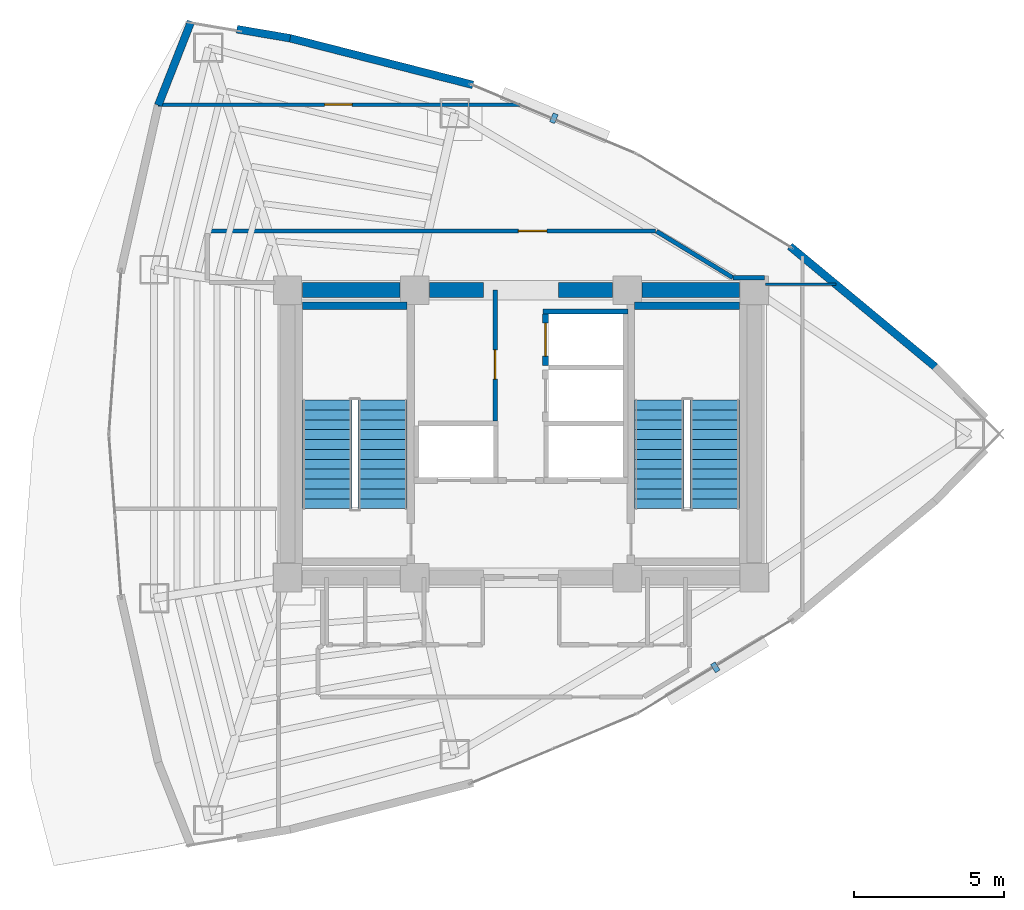
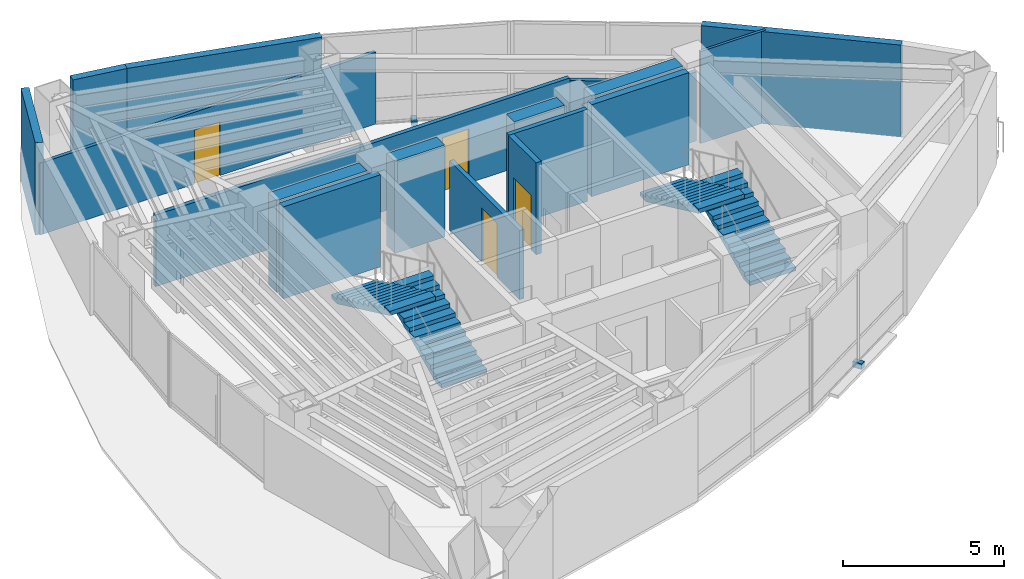
# One storey, part 13 of 15: 18 walls, 4 doors, 4 stair flights, 2 discrete accessories, 4 openings, 2 elements without a shape of their own.
"""IFC4 building model written with IfcOpenShell, lengths in metres."""

from ifc_helpers import new_model, si_unit, direction, frame, frame_2d, origin, origin_2d, place, context, subcontext, project, spatial, polyline, rectangle, outline, extrude, material, layer, layer_set, type_object, element, fill, aggregate, save


model = new_model("IFC4")

# Units and contexts
model_context = context("Model", 3, precision=1e-05, world=origin(), true_north=direction((0.0, 1.0)))
body_context = subcontext(model_context, "Body", "Model", "MODEL_VIEW")
ifc_project = project(units=[si_unit("LENGTHUNIT", "METRE"), si_unit("AREAUNIT", "SQUARE_METRE"), si_unit("VOLUMEUNIT", "CUBIC_METRE"), si_unit("PLANEANGLEUNIT", "RADIAN"), si_unit("MASSUNIT", "GRAM", prefix="KILO")], contexts=[model_context])

# Site, building, storey
site_placement = place(None, origin())
site = spatial("IfcSite", under=ifc_project, at=site_placement, CompositionType="ELEMENT")
building_placement = place(site_placement, origin())
building = spatial("IfcBuilding", under=site, at=building_placement, Name="Menara Vayukalpa", CompositionType="ELEMENT")
storey_placement = place(building_placement, frame((0.0, 0.0, 184.080078125)))
storey = spatial("IfcBuildingStorey", under=building, at=storey_placement, Name="L46", CompositionType="ELEMENT", Elevation=184.080078125)

# Walls
ifc_material_1 = material(Name="Concrete C60/75", Category="concrete")
ifc_layer_1 = layer(ifc_material_1, 0.5)
ifc_layer_set_1 = layer_set([ifc_layer_1], Name="Concrete C60/75")
wall_type_1 = type_object("IfcWallType", Name="WAL-CW500", PredefinedType="SHEAR", material=ifc_layer_set_1)
wall_1_placement = place(storey_placement, frame((18.294921875, 26.800048828125, 0.0), z_axis=(0.0, 0.0, 1.0), x_axis=(1.0, 0.0, 0.0)))
element("IfcWall", 1, at=wall_1_placement, inside=storey, type_object=wall_type_1, Name="L46 Buttressed Core Shear Wall CWN1", PredefinedType="SHEAR", context=body_context, shape_type="SweptSolid", body=[
    extrude(rectangle(XDim=3.260009765625, YDim=0.5, at=frame_2d((1.6298828125, 0.0))), origin(), (0.0, 0.0, 1.0), 3.5),
])
wall_2_placement = place(storey_placement, frame((22.544921875, 26.800048828125, 0.0), z_axis=(0.0, 0.0, 1.0), x_axis=(1.0, 0.0, 0.0)))
element("IfcWall", 2, at=wall_2_placement, inside=storey, type_object=wall_type_1, Name="L46 Buttressed Core Shear Wall CWN2", PredefinedType="SHEAR", context=body_context, shape_type="SweptSolid", body=[
    extrude(rectangle(XDim=1.80517578125, YDim=0.5, at=frame_2d((0.902587890625, 0.0))), origin(), (0.0, 0.0, 1.0), 3.5),
])
wall_3_placement = place(storey_placement, frame((26.85009765625, 26.800048828125, 0.0), z_axis=(0.0, 0.0, 1.0), x_axis=(1.0, 0.0, 0.0)))
element("IfcWall", 3, at=wall_3_placement, inside=storey, type_object=wall_type_1, Name="L46 Buttressed Core Shear Wall CWN3", PredefinedType="SHEAR", context=body_context, shape_type="SweptSolid", body=[
    extrude(rectangle(XDim=1.804931640625, YDim=0.5, at=frame_2d((0.90234375, 0.0))), origin(), (0.0, 0.0, 1.0), 3.5),
])
wall_4_placement = place(storey_placement, frame((29.64501953125, 26.800048828125, 0.0), z_axis=(0.0, 0.0, 1.0), x_axis=(1.0, 0.0, 0.0)))
element("IfcWall", 4, at=wall_4_placement, inside=storey, type_object=wall_type_1, Name="L46 Buttressed Core Shear Wall CWN4", PredefinedType="SHEAR", context=body_context, shape_type="SweptSolid", body=[
    extrude(rectangle(XDim=3.260009765625, YDim=0.5, at=frame_2d((1.6298828125, 0.0))), origin(), (0.0, 0.0, 1.0), 3.5),
])
ifc_material_2 = material(Name="Insulated Precast Concrete C40/50", Category="concrete")
ifc_layer_2 = layer(ifc_material_2, 0.260009765625)
ifc_layer_set_2 = layer_set([ifc_layer_2], Name="Insulated Precast Concrete C40/50")
wall_type_2 = type_object("IfcWallType", Name="WAL-EXT260", PredefinedType="PARTITIONING", material=ifc_layer_set_2)
wall_5_placement = place(storey_placement, frame((34.58251953125, 28.26953125, 0.0), z_axis=(0.0, 0.0, 1.0), x_axis=(0.769765373155, -0.638326930571, 0.0)))
element("IfcWall", 5, at=wall_5_placement, inside=storey, type_object=wall_type_2, Name="L46 Perimeter Terracotta Pier Wall 03", PredefinedType="PARTITIONING", context=body_context, shape_type="SweptSolid", body=[
    extrude(rectangle(XDim=6.3154296875, YDim=0.260009765625, at=frame_2d((3.15771484375, 0.0))), origin(), (0.0, 0.0, 1.0), 3.5),
])
wall_6_placement = place(storey_placement, frame((17.8759765625, 35.22216796875, 0.0), z_axis=(0.0, 0.0, 1.0), x_axis=(0.968976240439, -0.247153890246, 0.0)))
element("IfcWall", 6, at=wall_6_placement, inside=storey, type_object=wall_type_2, Name="L46 Perimeter Terracotta Pier Wall 06", PredefinedType="PARTITIONING", context=body_context, shape_type="SweptSolid", body=[
    extrude(rectangle(XDim=6.31494140625, YDim=0.260009765625, at=frame_2d((3.157470703125, 0.0))), origin(), (0.0, 0.0, 1.0), 3.5),
])
wall_7_placement = place(storey_placement, frame((16.10693359375, 35.52197265625, 0.0), z_axis=(0.0, 0.0, 1.0), x_axis=(0.985877723898, -0.167466753484, 0.0)))
element("IfcWall", 7, at=wall_7_placement, inside=storey, type_object=wall_type_2, Name="L46 Perimeter Terracotta Pier Wall 07", PredefinedType="PARTITIONING", context=body_context, shape_type="SweptSolid", body=[
    extrude(rectangle(XDim=1.80615234375, YDim=0.260009765625, at=frame_2d((0.903076171875, 0.0))), origin(), (0.0, 0.0, 1.0), 3.5),
])
wall_8_placement = place(storey_placement, frame((13.47900390625, 32.978515625, 0.0), z_axis=(0.0, 0.0, 1.0), x_axis=(0.365609724313, 0.930768246927, 0.0)))
element("IfcWall", 8, at=wall_8_placement, inside=storey, type_object=wall_type_2, Name="L46 Perimeter Terracotta Pier Wall 08", PredefinedType="PARTITIONING", context=body_context, shape_type="SweptSolid", body=[
    extrude(rectangle(XDim=3.010986328125, YDim=0.260009765625, at=frame_2d((1.50537109375, 0.0))), origin(), (0.0, 0.0, 1.0), 3.5),
])
ifc_material_3 = material(Name="Lightweight Concrete Blockwork C16/20", Category="masonry")
ifc_layer_3 = layer(ifc_material_3, 0.159912109375)
ifc_layer_set_3 = layer_set([ifc_layer_3], Name="Lightweight Concrete Blockwork C16/20")
wall_type_3 = type_object("IfcWallType", Name="WAL-FR150", PredefinedType="PARTITIONING", material=ifc_layer_set_3)
wall_9_placement = place(storey_placement, frame((26.340087890625, 26.0849609375, 0.0), z_axis=(0.0, 0.0, 1.0), x_axis=(1.0, 0.0, 0.0)))
element("IfcWall", 9, at=wall_9_placement, inside=storey, type_object=wall_type_3, Name="L46 Interior Partition IW-L46-SHM-E2N", PredefinedType="PARTITIONING", context=body_context, shape_type="SweptSolid", body=[
    extrude(rectangle(XDim=2.829833984375, YDim=0.159912109375, at=frame_2d((1.4150390625, 0.0))), origin(), (0.0, 0.0, 1.0), 3.5),
])

# Wall, opening, door
wall_10_placement = place(storey_placement, frame((24.739990234375, 22.429931640625, 0.0), z_axis=(0.0, 0.0, 1.0), x_axis=(0.0, 1.0, 0.0)))
wall_10 = element("IfcWall", 10, at=wall_10_placement, inside=storey, type_object=wall_type_3, Name="L46 Interior Partition IW-L46-LV7W", PredefinedType="PARTITIONING", context=body_context, shape_type="SweptSolid", body=[
    extrude(rectangle(XDim=4.3701171875, YDim=0.159912109375, at=frame_2d((2.18505859375, 0.0))), origin(), (0.0, 0.0, 1.0), 2.6298828125),
])
opening_1_placement = place(wall_10_placement, frame((1.39990234375, 0.0, 0.0)))
opening_1 = element("IfcOpeningElement", 11, at=opening_1_placement, cuts=wall_10, Name="Opening ID3", PredefinedType="OPENING", context=body_context, shape_type="SweptSolid", body=[
    extrude(rectangle(XDim=0.97998046875, YDim=2.06005859375, at=frame_2d((0.489990234375, 1.030029296875))), frame((0.0, 0.08984375, 0.0), z_axis=(0.0, -1.0, 0.0), x_axis=(1.0, 0.0, 0.0)), (0.0, 0.0, 1.0), 0.179931640625),
])
ifc_material_4 = material(Name="Fire-Rated Powder-Coated Steel Door", Category="steel")
door_type_1 = type_object("IfcDoorType", Name="DR-FD60", OperationType="NOTDEFINED", PredefinedType="DOOR", material=ifc_material_4)
door_1_placement = place(opening_1_placement, origin())
door_1 = element("IfcDoor", 12, at=door_1_placement, inside=storey, type_object=door_type_1, Name="L46 Interior Door DR-L46-LV7W", OperationType="SINGLE_SWING_RIGHT", OverallHeight=2.06005859375, OverallWidth=0.97998046875, PredefinedType="DOOR", context=body_context, shape_type="SweptSolid", body=[
    extrude(rectangle(XDim=0.97998046875, YDim=2.06005859375, at=frame_2d((0.489990234375, 1.030029296875))), frame((0.0, 0.02490234375, 0.0), z_axis=(0.0, -1.0, 0.0), x_axis=(1.0, 0.0, 0.0)), (0.0, 0.0, 1.0), 0.050048828125),
])
fill(opening_1, door_1)

ifc_material_5 = material(Name="Lightweight Concrete Blockwork C16/20", Category="masonry")
ifc_layer_4 = layer(ifc_material_5, 0.199951171875)
ifc_layer_set_4 = layer_set([ifc_layer_4], Name="Lightweight Concrete Blockwork C16/20")
wall_type_4 = type_object("IfcWallType", Name="WAL-FR200", PredefinedType="PARTITIONING", material=ifc_layer_set_4)
wall_11_placement = place(storey_placement, frame((26.419921875, 24.2900390625, 0.0), z_axis=(0.0, 0.0, 1.0), x_axis=(0.0, 1.0, 0.0)))
wall_11 = element("IfcWall", 13, at=wall_11_placement, inside=storey, type_object=wall_type_4, Name="L46 Interior Partition IW-L46-SH-E2", PredefinedType="PARTITIONING", context=body_context, shape_type="SweptSolid", body=[
    extrude(rectangle(XDim=1.719970703125, YDim=0.199951171875, at=frame_2d((0.85986328125, 0.0))), origin(), (0.0, 0.0, 1.0), 3.5),
])
opening_2_placement = place(wall_11_placement, frame((0.31005859375, 0.0, 0.0)))
opening_2 = element("IfcOpeningElement", 14, at=opening_2_placement, cuts=wall_11, Name="Opening LD1", PredefinedType="OPENING", context=body_context, shape_type="SweptSolid", body=[
    extrude(rectangle(XDim=1.10009765625, YDim=2.080078125, at=frame_2d((0.550048828125, 1.0400390625))), frame((0.0, 0.10986328125, 0.0), z_axis=(0.0, -1.0, 0.0), x_axis=(1.0, 0.0, 0.0)), (0.0, 0.0, 1.0), 0.219970703125),
])
ifc_material_6 = material(Name="Brushed Stainless Steel 316 Lift Door", Category="steel")
door_type_2 = type_object("IfcDoorType", Name="DR-LD110", OperationType="NOTDEFINED", PredefinedType="DOOR", material=ifc_material_6)
door_2_placement = place(opening_2_placement, origin())
door_2 = element("IfcDoor", 15, at=door_2_placement, inside=storey, type_object=door_type_2, Name="L46 Interior Door DR-L46-LD-E2", OperationType="DOUBLE_DOOR_SLIDING", OverallHeight=2.080078125, OverallWidth=1.10009765625, PredefinedType="DOOR", context=body_context, shape_type="SweptSolid", body=[
    extrude(rectangle(XDim=1.10009765625, YDim=2.080078125, at=frame_2d((0.550048828125, 1.0400390625))), frame((0.0, 0.02490234375, 0.0), z_axis=(0.0, -1.0, 0.0), x_axis=(1.0, 0.0, 0.0)), (0.0, 0.0, 1.0), 0.050048828125),
])
fill(opening_2, door_2)

# Wall
ifc_material_7 = material(Name="Glazed Demountable Office Partition", Category="glass")
ifc_layer_5 = layer(ifc_material_7, 0.094970703125)
ifc_layer_set_5 = layer_set([ifc_layer_5], Name="Glazed Demountable Office Partition")
wall_type_5 = type_object("IfcWallType", Name="WAL-PT100", PredefinedType="PARTITIONING", material=ifc_layer_set_5)
wall_12_placement = place(storey_placement, frame((33.77001953125, 27.0, 0.0), z_axis=(0.0, 0.0, 1.0), x_axis=(1.0, 0.0, 0.0)))
element("IfcWall", 16, at=wall_12_placement, inside=storey, type_object=wall_type_5, Name="L46 Interior Partition IW-L46-RDIV04", PredefinedType="PARTITIONING", context=body_context, shape_type="SweptSolid", body=[
    extrude(rectangle(XDim=2.359130859375, YDim=0.094970703125, at=frame_2d((1.1796875, 0.0))), origin(), (0.0, 0.0, 1.0), 3.5),
])

# Wall, opening, door
ifc_material_8 = material(Name="Gypsum Drywall Steel Stud Assembly", Category="steel")
ifc_layer_6 = layer(ifc_material_8, 0.125)
ifc_layer_set_6 = layer_set([ifc_layer_6], Name="Gypsum Drywall Steel Stud Assembly")
wall_type_6 = type_object("IfcWallType", Name="WAL-PT125", PredefinedType="PARTITIONING", material=ifc_layer_set_6)
wall_13_placement = place(storey_placement, frame((13.476806640625, 33.0, 0.0), z_axis=(0.0, 0.0, 1.0), x_axis=(1.0, 0.0, 0.0)))
wall_13 = element("IfcWall", 17, at=wall_13_placement, inside=storey, type_object=wall_type_6, Name="L46 Interior Partition IW-L46-RDIV05", PredefinedType="PARTITIONING", context=body_context, shape_type="SweptSolid", body=[
    extrude(rectangle(XDim=12.083984375, YDim=0.125, at=frame_2d((6.0419921875, 0.0))), origin(), (0.0, 0.0, 1.0), 2.72998046875),
])
opening_3_placement = place(wall_13_placement, frame((5.563720703125, 0.0, 0.0)))
opening_3 = element("IfcOpeningElement", 18, at=opening_3_placement, cuts=wall_13, Name="Opening ID6", PredefinedType="OPENING", context=body_context, shape_type="SweptSolid", body=[
    extrude(rectangle(XDim=0.919921875, YDim=2.050048828125, at=frame_2d((0.4599609375, 1.02490234375))), frame((0.0, 0.072509765625, 0.0), z_axis=(0.0, -1.0, 0.0), x_axis=(1.0, 0.0, 0.0)), (0.0, 0.0, 1.0), 0.14501953125),
])
ifc_material_9 = material(Name="Acoustic Hardwood Veneer Timber Door", Category="wood")
door_type_3 = type_object("IfcDoorType", Name="DR-INT92", OperationType="NOTDEFINED", PredefinedType="DOOR", material=ifc_material_9)
door_3_placement = place(opening_3_placement, origin())
door_3 = element("IfcDoor", 19, at=door_3_placement, inside=storey, type_object=door_type_3, Name="L46 Interior Door DR-L46-STE04", OperationType="SINGLE_SWING_RIGHT", OverallHeight=2.050048828125, OverallWidth=0.919921875, PredefinedType="DOOR", context=body_context, shape_type="SweptSolid", body=[
    extrude(rectangle(XDim=0.919921875, YDim=2.050048828125, at=frame_2d((0.4599609375, 1.02490234375))), frame((0.0, 0.02490234375, 0.0), z_axis=(0.0, -1.0, 0.0), x_axis=(1.0, 0.0, 0.0)), (0.0, 0.0, 1.0), 0.050048828125),
])
fill(opening_3, door_3)

# Walls
ifc_material_10 = material(Name="Gypsum Drywall Acoustic Stud Assembly", Category="masonry")
ifc_layer_7 = layer(ifc_material_10, 0.14501953125)
ifc_layer_set_7 = layer_set([ifc_layer_7], Name="Gypsum Drywall Acoustic Stud Assembly")
wall_type_7 = type_object("IfcWallType", Name="WAL-PT150", PredefinedType="PARTITIONING", material=ifc_layer_set_7)
wall_14_placement = place(storey_placement, frame((33.739990234375, 27.219970703125, 0.0), z_axis=(0.0, 0.0, 1.0), x_axis=(-1.0, 0.0, 0.0)))
element("IfcWall", 20, at=wall_14_placement, inside=storey, type_object=wall_type_7, Name="L46 Interior Partition IW-L46-CRM05-1", PredefinedType="PARTITIONING", context=body_context, shape_type="SweptSolid", body=[
    extrude(rectangle(XDim=1.0625, YDim=0.14501953125, at=frame_2d((0.53125, 0.0))), origin(), (0.0, 0.0, 1.0), 2.6298828125),
])
wall_15_placement = place(storey_placement, frame((32.677490234375, 27.219970703125, 0.0), z_axis=(0.0, 0.0, 1.0), x_axis=(-0.854662977584, 0.519183199601, 0.0)))
element("IfcWall", 21, at=wall_15_placement, inside=storey, type_object=wall_type_7, Name="L46 Interior Partition IW-L46-CRM05-2", PredefinedType="PARTITIONING", context=body_context, shape_type="SweptSolid", body=[
    extrude(rectangle(XDim=2.982177734375, YDim=0.14501953125, at=frame_2d((1.4912109375, 0.0))), origin(), (0.0, 0.0, 1.0), 2.6298828125),
])

# Wall, opening, door
wall_16_placement = place(storey_placement, frame((30.087158203125, 28.780029296875, 0.0), z_axis=(0.0, 0.0, 1.0), x_axis=(-1.0, 0.0, 0.0)))
wall_16 = element("IfcWall", 22, at=wall_16_placement, inside=storey, type_object=wall_type_7, Name="L46 Interior Partition IW-L46-CRM05-3", PredefinedType="PARTITIONING", context=body_context, shape_type="SweptSolid", body=[
    extrude(rectangle(XDim=14.88720703125, YDim=0.14501953125, at=frame_2d((7.443603515625, 0.0))), origin(), (0.0, 0.0, 1.0), 2.72998046875),
])
opening_4_placement = place(wall_16_placement, frame((3.624267578125, 0.0, 0.0)))
opening_4 = element("IfcOpeningElement", 23, at=opening_4_placement, cuts=wall_16, Name="Opening ID5", PredefinedType="OPENING", context=body_context, shape_type="SweptSolid", body=[
    extrude(rectangle(XDim=0.949951171875, YDim=2.06005859375, at=frame_2d((0.47509765625, 1.030029296875))), frame((0.0, 0.08251953125, 0.0), z_axis=(0.0, -1.0, 0.0), x_axis=(1.0, 0.0, 0.0)), (0.0, 0.0, 1.0), 0.1650390625),
])
ifc_material_11 = material(Name="Acoustic Hardwood Veneer Timber Door", Category="wood")
door_type_4 = type_object("IfcDoorType", Name="DR-INT95", OperationType="NOTDEFINED", PredefinedType="DOOR", material=ifc_material_11)
door_4_placement = place(opening_4_placement, origin())
door_4 = element("IfcDoor", 24, at=door_4_placement, inside=storey, type_object=door_type_4, Name="L46 Interior Door DR-L46-RM05", OperationType="SINGLE_SWING_LEFT", OverallHeight=2.06005859375, OverallWidth=0.949951171875, PredefinedType="DOOR", context=body_context, shape_type="SweptSolid", body=[
    extrude(rectangle(XDim=0.949951171875, YDim=2.06005859375, at=frame_2d((0.47509765625, 1.030029296875))), frame((0.0, 0.02490234375, 0.0), z_axis=(0.0, -1.0, 0.0), x_axis=(1.0, 0.0, 0.0)), (0.0, 0.0, 1.0), 0.050048828125),
])
fill(opening_4, door_4)

# Walls
ifc_material_12 = material(Name="Concrete C50/60", Category="concrete")
ifc_layer_8 = layer(ifc_material_12, 0.25)
ifc_layer_set_8 = layer_set([ifc_layer_8], Name="Concrete C50/60")
wall_type_8 = type_object("IfcWallType", Name="WAL-SW250", PredefinedType="SHEAR", material=ifc_layer_set_8)
for number, where, z_axis, x_axis, name in (
    (25, (18.303955078125, 26.27490234375, 0.0), (0.0, 0.0, 1.0), (1.0, 0.0, 0.0), "L46 ST1 Structural Stair Shaft Wall N"),
    (26, (29.39990234375, 26.27490234375, 0.0), (0.0, 0.0, 1.0), (1.0, 0.0, 0.0), "L46 ST2 Structural Stair Shaft Wall N"),
):
    element("IfcWall", number, at=place(storey_placement, frame(where, z_axis=z_axis, x_axis=x_axis)), inside=storey, type_object=wall_type_8, Name=name, PredefinedType="SHEAR", context=body_context, shape_type="SweptSolid", body=[
        extrude(rectangle(XDim=3.49609375, YDim=0.25, at=frame_2d((1.748046875, 0.0))), origin(), (0.0, 0.0, 1.0), 3.5),
    ])

# Stair, stair flights
ifc_material_13 = material(Name="Precast Concrete C40/50", Category="concrete")
stair_type = type_object("IfcStairType", Name="STR-T04", PredefinedType="DOUBLE_RETURN_STAIR", material=ifc_material_13)
stair_1_placement = place(storey_placement, origin())
stair_1 = element("IfcStair", 27, at=stair_1_placement, inside=storey, type_object=stair_type, Name="L46 Core Exit Stair ST-1", PredefinedType="DOUBLE_RETURN_STAIR")
ifc_material_14 = material(Name="Precast Concrete C40/50", Category="concrete")
stair_flight_type = type_object("IfcStairFlightType", Name="STF-T04", PredefinedType="STRAIGHT", material=ifc_material_14)
stair_flight_1_placement = place(storey_placement, frame((20.97509765625, 19.5, 0.0), z_axis=(0.0, 0.0, 1.0), x_axis=(0.0, 1.0, 0.0)))
stair_flight_1 = element("IfcStairFlight", 28, at=stair_flight_1_placement, type_object=stair_flight_type, Name="ST-1 flight 1", NumberOfRisers=12, NumberOfTreads=11, PredefinedType="STRAIGHT", RiserHeight=0.155, TreadLength=0.33, context=body_context, shape_type="SweptSolid", body=[
    extrude(outline(polyline([(0.0, 0.0), (0.0, 0.155029296875), (0.330078125, 0.155029296875), (0.330078125, 0.31005859375), (0.659912109375, 0.31005859375), (0.659912109375, 0.465087890625), (0.989990234375, 0.465087890625), (0.989990234375, 0.6201171875), (1.320068359375, 0.6201171875), (1.320068359375, 0.77490234375), (1.64990234375, 0.77490234375), (1.64990234375, 0.929931640625), (1.97998046875, 0.929931640625), (1.97998046875, 1.0849609375), (2.31005859375, 1.0849609375), (2.31005859375, 1.239990234375), (2.639892578125, 1.239990234375), (2.639892578125, 1.39501953125), (2.969970703125, 1.39501953125), (2.969970703125, 1.550048828125), (3.300048828125, 1.550048828125), (3.300048828125, 1.705078125), (3.6298828125, 1.705078125), (3.6298828125, 1.860107421875), (3.6298828125, 1.539306640625), (0.3525390625, 0.0), (0.0, 0.0)])), frame((0.0, 0.824951171875, 0.0), z_axis=(0.0, -1.0, 0.0), x_axis=(1.0, 0.0, 0.0)), (0.0, 0.0, 1.0), 1.64990234375),
])
stair_flight_2_placement = place(storey_placement, frame((19.125, 23.1298828125, 1.85986328125), z_axis=(0.0, 0.0, 1.0), x_axis=(0.0, -1.0, 0.0)))
stair_flight_2 = element("IfcStairFlight", 29, at=stair_flight_2_placement, type_object=stair_flight_type, Name="ST-1 flight 2", NumberOfRisers=12, NumberOfTreads=11, PredefinedType="STRAIGHT", RiserHeight=0.155, TreadLength=0.33, context=body_context, shape_type="SweptSolid", body=[
    extrude(outline(polyline([(0.0, 0.0), (0.0, 0.155029296875), (0.330078125, 0.155029296875), (0.330078125, 0.31005859375), (0.659912109375, 0.31005859375), (0.659912109375, 0.465087890625), (0.989990234375, 0.465087890625), (0.989990234375, 0.6201171875), (1.320068359375, 0.6201171875), (1.320068359375, 0.77490234375), (1.64990234375, 0.77490234375), (1.64990234375, 0.929931640625), (1.97998046875, 0.929931640625), (1.97998046875, 1.0849609375), (2.31005859375, 1.0849609375), (2.31005859375, 1.239990234375), (2.639892578125, 1.239990234375), (2.639892578125, 1.39501953125), (2.969970703125, 1.39501953125), (2.969970703125, 1.550048828125), (3.300048828125, 1.550048828125), (3.300048828125, 1.705078125), (3.6298828125, 1.705078125), (3.6298828125, 1.860107421875), (3.6298828125, 1.539306640625), (0.3525390625, 0.0), (0.0, 0.0)])), frame((0.0, 0.824951171875, 0.0), z_axis=(0.0, -1.0, 0.0), x_axis=(1.0, 0.0, 0.0)), (0.0, 0.0, 1.0), 1.64990234375),
])
aggregate(stair_1, [stair_flight_1, stair_flight_2])

stair_2_placement = place(storey_placement, origin())
stair_2 = element("IfcStair", 30, at=stair_2_placement, inside=storey, type_object=stair_type, Name="L46 Core Exit Stair ST-2", PredefinedType="DOUBLE_RETURN_STAIR")
stair_flight_3_placement = place(storey_placement, frame((32.074951171875, 19.5, 0.0), z_axis=(0.0, 0.0, 1.0), x_axis=(0.0, 1.0, 0.0)))
stair_flight_3 = element("IfcStairFlight", 31, at=stair_flight_3_placement, type_object=stair_flight_type, Name="ST-2 flight 1", NumberOfRisers=12, NumberOfTreads=11, PredefinedType="STRAIGHT", RiserHeight=0.155, TreadLength=0.33, context=body_context, shape_type="SweptSolid", body=[
    extrude(outline(polyline([(0.0, 0.0), (0.0, 0.155029296875), (0.330078125, 0.155029296875), (0.330078125, 0.31005859375), (0.659912109375, 0.31005859375), (0.659912109375, 0.465087890625), (0.989990234375, 0.465087890625), (0.989990234375, 0.6201171875), (1.320068359375, 0.6201171875), (1.320068359375, 0.77490234375), (1.64990234375, 0.77490234375), (1.64990234375, 0.929931640625), (1.97998046875, 0.929931640625), (1.97998046875, 1.0849609375), (2.31005859375, 1.0849609375), (2.31005859375, 1.239990234375), (2.639892578125, 1.239990234375), (2.639892578125, 1.39501953125), (2.969970703125, 1.39501953125), (2.969970703125, 1.550048828125), (3.300048828125, 1.550048828125), (3.300048828125, 1.705078125), (3.6298828125, 1.705078125), (3.6298828125, 1.860107421875), (3.6298828125, 1.539306640625), (0.3525390625, 0.0), (0.0, 0.0)])), frame((0.0, 0.824951171875, 0.0), z_axis=(0.0, -1.0, 0.0), x_axis=(1.0, 0.0, 0.0)), (0.0, 0.0, 1.0), 1.64990234375),
])
stair_flight_4_placement = place(storey_placement, frame((30.22509765625, 23.1298828125, 1.85986328125), z_axis=(0.0, 0.0, 1.0), x_axis=(0.0, -1.0, 0.0)))
stair_flight_4 = element("IfcStairFlight", 32, at=stair_flight_4_placement, type_object=stair_flight_type, Name="ST-2 flight 2", NumberOfRisers=12, NumberOfTreads=11, PredefinedType="STRAIGHT", RiserHeight=0.155, TreadLength=0.33, context=body_context, shape_type="SweptSolid", body=[
    extrude(outline(polyline([(0.0, 0.0), (0.0, 0.155029296875), (0.330078125, 0.155029296875), (0.330078125, 0.31005859375), (0.659912109375, 0.31005859375), (0.659912109375, 0.465087890625), (0.989990234375, 0.465087890625), (0.989990234375, 0.6201171875), (1.320068359375, 0.6201171875), (1.320068359375, 0.77490234375), (1.64990234375, 0.77490234375), (1.64990234375, 0.929931640625), (1.97998046875, 0.929931640625), (1.97998046875, 1.0849609375), (2.31005859375, 1.0849609375), (2.31005859375, 1.239990234375), (2.639892578125, 1.239990234375), (2.639892578125, 1.39501953125), (2.969970703125, 1.39501953125), (2.969970703125, 1.550048828125), (3.300048828125, 1.550048828125), (3.300048828125, 1.705078125), (3.6298828125, 1.705078125), (3.6298828125, 1.860107421875), (3.6298828125, 1.539306640625), (0.3525390625, 0.0), (0.0, 0.0)])), frame((0.0, 0.824951171875, 0.0), z_axis=(0.0, -1.0, 0.0), x_axis=(1.0, 0.0, 0.0)), (0.0, 0.0, 1.0), 1.64990234375),
])
aggregate(stair_2, [stair_flight_3, stair_flight_4])

# Discrete accessories
ifc_material_15 = material(Name="Stainless Steel 316 Sunshade Bracket", Category="steel")
discrete_accessory_type = type_object("IfcDiscreteAccessoryType", Name="ACC-BRK1", PredefinedType="BRACKET", material=ifc_material_15)
for number, where, z_axis, x_axis, name in (
    (33, (26.69775390625, 32.5458984375, -0.16015625), (0.0, 0.0, 1.0), (-0.922538089456, 0.385906042324, 0.0), "L46 Terracotta Sunshade Bracket 05"),
    (34, (32.091064453125, 14.20068359375, -0.16015625), (0.0, 0.0, 1.0), (0.85466730962, 0.519176068272, 0.0), "L46 Terracotta Sunshade Bracket 17"),
):
    element("IfcDiscreteAccessory", number, at=place(storey_placement, frame(where, z_axis=z_axis, x_axis=x_axis)), inside=storey, type_object=discrete_accessory_type, Name=name, PredefinedType="BRACKET", context=body_context, shape_type="SweptSolid", body=[
        extrude(rectangle(XDim=0.179931640625, YDim=0.320068359375, at=origin_2d()), origin(), (0.0, 0.0, 1.0), 0.219970703125),
    ])

save(model, "model.ifc")
